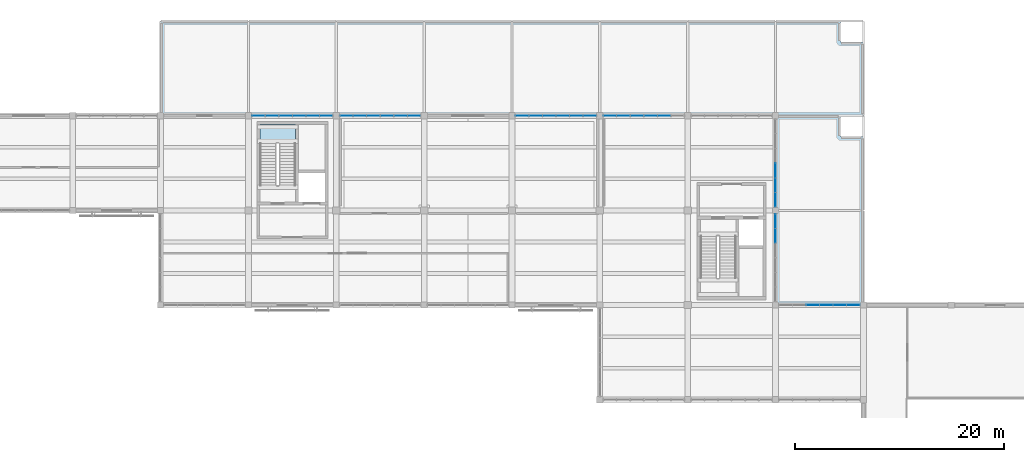
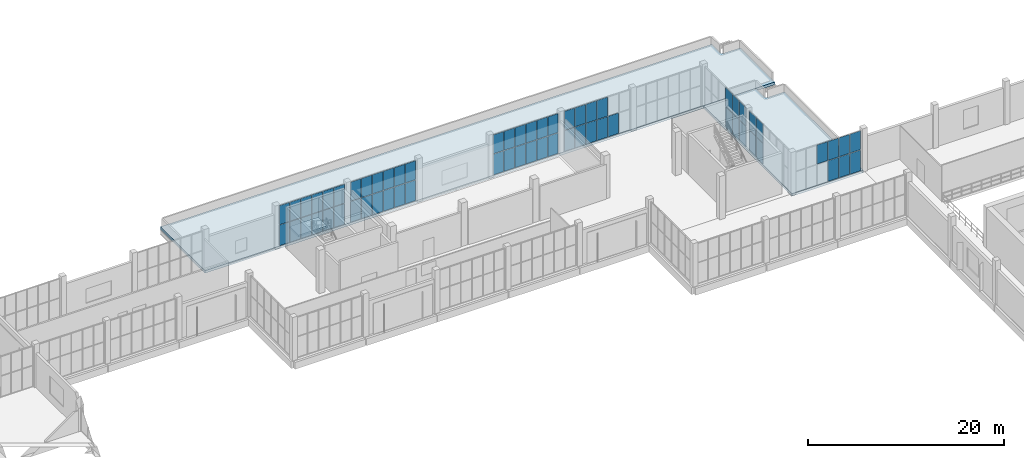
# One storey, part 107 of 132: 62 plates, 3 slabs, 8 elements without a shape of their own.
"""IFC4 building model written with IfcOpenShell, lengths in metres."""

from ifc_helpers import new_model, si_unit, direction, frame, origin, origin_2d, place, context, subcontext, project, spatial, polyline, rectangle, outline, extrude, material, layer, layer_set, type_object, element, aggregate, save


model = new_model("IFC4")

# Units and contexts
model_context = context("Model", 3, precision=1e-05, world=origin(), true_north=direction((0.0, 1.0)))
body_context = subcontext(model_context, "Body", "Model", "MODEL_VIEW")
ifc_project = project(units=[si_unit("LENGTHUNIT", "METRE"), si_unit("AREAUNIT", "SQUARE_METRE"), si_unit("VOLUMEUNIT", "CUBIC_METRE"), si_unit("PLANEANGLEUNIT", "RADIAN"), si_unit("MASSUNIT", "GRAM", prefix="KILO")], contexts=[model_context])

# Site, building, storey
site_placement = place(None, origin())
site = spatial("IfcSite", under=ifc_project, at=site_placement, CompositionType="ELEMENT")
building_placement = place(site_placement, origin())
building = spatial("IfcBuilding", under=site, at=building_placement, Name="Khurvash Pelagic Aquarium", CompositionType="ELEMENT")
storey_placement = place(building_placement, frame((0.0, 0.0, 5.39990234375)))
storey = spatial("IfcBuildingStorey", under=building, at=storey_placement, Name="L01", CompositionType="ELEMENT", Elevation=5.39990234375)

# Curtain wall, plates
ifc_material_1 = material(Name="Anodised aluminium and low-E laminated glass", Category="aluminium")
curtain_wall_type_1 = type_object("IfcCurtainWallType", Name="CW-05", PredefinedType="USERDEFINED", material=ifc_material_1)
curtain_wall_1_placement = place(storey_placement, origin())
curtain_wall_1 = element("IfcCurtainWall", 1, at=curtain_wall_1_placement, inside=storey, type_object=curtain_wall_type_1, Name="L01 Facade Unitised Curtain Wall CW-05 0111", ObjectType="UNITISED CURTAIN WALL", PredefinedType="USERDEFINED")
ifc_material_2 = material(Name="Low-E laminated double glazing", Category="glass")
ifc_layer_1 = layer(ifc_material_2, 0.033935546875)
ifc_layer_set_1 = layer_set([ifc_layer_1], Name="Low-E laminated double glazing")
plate_type_1 = type_object("IfcPlateType", Name="CG-05", PredefinedType="CURTAIN_PANEL", material=ifc_layer_set_1)
plate_1_placement = place(storey_placement, frame((125.03076171875, 84.050048828125, 0.06005859375), z_axis=(0.0, 0.0, 1.0), x_axis=(-1.0, 0.0, 0.0)))
plate_1 = element("IfcPlate", 2, at=plate_1_placement, type_object=plate_type_1, Name="CW-05 panel 1.1", PredefinedType="CURTAIN_PANEL", context=body_context, shape_type="SweptSolid", body=[
    extrude(rectangle(XDim=1.208251953125, YDim=0.033935546875, at=origin_2d()), origin(), (0.0, 0.0, 1.0), 2.56201171875),
])
plate_2_placement = place(storey_placement, frame((125.03076171875, 84.050048828125, 2.68212890625), z_axis=(0.0, 0.0, 1.0), x_axis=(-1.0, 0.0, 0.0)))
plate_2 = element("IfcPlate", 3, at=plate_2_placement, type_object=plate_type_1, Name="CW-05 panel 1.2", PredefinedType="CURTAIN_PANEL", context=body_context, shape_type="SweptSolid", body=[
    extrude(rectangle(XDim=1.208251953125, YDim=0.033935546875, at=origin_2d()), origin(), (0.0, 0.0, 1.0), 2.35791015625),
])
plate_3_placement = place(storey_placement, frame((123.74755859375, 84.050048828125, 0.06005859375), z_axis=(0.0, 0.0, 1.0), x_axis=(-1.0, 0.0, 0.0)))
plate_3 = element("IfcPlate", 4, at=plate_3_placement, type_object=plate_type_1, Name="CW-05 panel 2.1", PredefinedType="CURTAIN_PANEL", context=body_context, shape_type="SweptSolid", body=[
    extrude(rectangle(XDim=1.23828125, YDim=0.033935546875, at=origin_2d()), origin(), (0.0, 0.0, 1.0), 2.56201171875),
])
plate_4_placement = place(storey_placement, frame((123.74755859375, 84.050048828125, 2.68212890625), z_axis=(0.0, 0.0, 1.0), x_axis=(-1.0, 0.0, 0.0)))
plate_4 = element("IfcPlate", 5, at=plate_4_placement, type_object=plate_type_1, Name="CW-05 panel 2.2", PredefinedType="CURTAIN_PANEL", context=body_context, shape_type="SweptSolid", body=[
    extrude(rectangle(XDim=1.23828125, YDim=0.033935546875, at=origin_2d()), origin(), (0.0, 0.0, 1.0), 2.35791015625),
])
plate_5_placement = place(storey_placement, frame((122.44921875, 84.050048828125, 0.06005859375), z_axis=(0.0, 0.0, 1.0), x_axis=(-1.0, 0.0, 0.0)))
plate_5 = element("IfcPlate", 6, at=plate_5_placement, type_object=plate_type_1, Name="CW-05 panel 3.1", PredefinedType="CURTAIN_PANEL", context=body_context, shape_type="SweptSolid", body=[
    extrude(rectangle(XDim=1.23828125, YDim=0.033935546875, at=origin_2d()), origin(), (0.0, 0.0, 1.0), 2.56201171875),
])
plate_6_placement = place(storey_placement, frame((122.44921875, 84.050048828125, 2.68212890625), z_axis=(0.0, 0.0, 1.0), x_axis=(-1.0, 0.0, 0.0)))
plate_6 = element("IfcPlate", 7, at=plate_6_placement, type_object=plate_type_1, Name="CW-05 panel 3.2", PredefinedType="CURTAIN_PANEL", context=body_context, shape_type="SweptSolid", body=[
    extrude(rectangle(XDim=1.23828125, YDim=0.033935546875, at=origin_2d()), origin(), (0.0, 0.0, 1.0), 2.35791015625),
])
plate_7_placement = place(storey_placement, frame((121.15087890625, 84.050048828125, 2.68212890625), z_axis=(0.0, 0.0, 1.0), x_axis=(-1.0, 0.0, 0.0)))
plate_7 = element("IfcPlate", 8, at=plate_7_placement, type_object=plate_type_1, Name="CW-05 panel 4.2", PredefinedType="CURTAIN_PANEL", context=body_context, shape_type="SweptSolid", body=[
    extrude(rectangle(XDim=1.23828125, YDim=0.033935546875, at=origin_2d()), origin(), (0.0, 0.0, 1.0), 2.35791015625),
])
aggregate(curtain_wall_1, [plate_1, plate_2, plate_3, plate_4, plate_5, plate_6, plate_7])

curtain_wall_2_placement = place(storey_placement, origin())
curtain_wall_2 = element("IfcCurtainWall", 9, at=curtain_wall_2_placement, inside=storey, type_object=curtain_wall_type_1, Name="L01 Facade Unitised Curtain Wall CW-05 0115", ObjectType="UNITISED CURTAIN WALL", PredefinedType="USERDEFINED")
plate_8_placement = place(storey_placement, frame((106.947509765625, 102.14990234375, 0.06005859375), z_axis=(0.0, 0.0, 1.0), x_axis=(-1.0, 0.0, 0.0)))
plate_8 = element("IfcPlate", 10, at=plate_8_placement, type_object=plate_type_1, Name="CW-05 panel 2.1", PredefinedType="CURTAIN_PANEL", context=body_context, shape_type="SweptSolid", body=[
    extrude(rectangle(XDim=1.23828125, YDim=0.033935546875, at=origin_2d()), origin(), (0.0, 0.0, 1.0), 2.56201171875),
])
plate_9_placement = place(storey_placement, frame((105.649169921875, 102.14990234375, 0.06005859375), z_axis=(0.0, 0.0, 1.0), x_axis=(-1.0, 0.0, 0.0)))
plate_9 = element("IfcPlate", 11, at=plate_9_placement, type_object=plate_type_1, Name="CW-05 panel 3.1", PredefinedType="CURTAIN_PANEL", context=body_context, shape_type="SweptSolid", body=[
    extrude(rectangle(XDim=1.23828125, YDim=0.033935546875, at=origin_2d()), origin(), (0.0, 0.0, 1.0), 2.56201171875),
])
plate_10_placement = place(storey_placement, frame((105.649169921875, 102.14990234375, 2.68212890625), z_axis=(0.0, 0.0, 1.0), x_axis=(-1.0, 0.0, 0.0)))
plate_10 = element("IfcPlate", 12, at=plate_10_placement, type_object=plate_type_1, Name="CW-05 panel 3.2", PredefinedType="CURTAIN_PANEL", context=body_context, shape_type="SweptSolid", body=[
    extrude(rectangle(XDim=1.23828125, YDim=0.033935546875, at=origin_2d()), origin(), (0.0, 0.0, 1.0), 2.35791015625),
])
plate_11_placement = place(storey_placement, frame((104.350830078125, 102.14990234375, 0.06005859375), z_axis=(0.0, 0.0, 1.0), x_axis=(-1.0, 0.0, 0.0)))
plate_11 = element("IfcPlate", 13, at=plate_11_placement, type_object=plate_type_1, Name="CW-05 panel 4.1", PredefinedType="CURTAIN_PANEL", context=body_context, shape_type="SweptSolid", body=[
    extrude(rectangle(XDim=1.23828125, YDim=0.033935546875, at=origin_2d()), origin(), (0.0, 0.0, 1.0), 2.56201171875),
])
plate_12_placement = place(storey_placement, frame((104.350830078125, 102.14990234375, 2.68212890625), z_axis=(0.0, 0.0, 1.0), x_axis=(-1.0, 0.0, 0.0)))
plate_12 = element("IfcPlate", 14, at=plate_12_placement, type_object=plate_type_1, Name="CW-05 panel 4.2", PredefinedType="CURTAIN_PANEL", context=body_context, shape_type="SweptSolid", body=[
    extrude(rectangle(XDim=1.23828125, YDim=0.033935546875, at=origin_2d()), origin(), (0.0, 0.0, 1.0), 2.35791015625),
])
plate_13_placement = place(storey_placement, frame((103.052490234375, 102.14990234375, 0.06005859375), z_axis=(0.0, 0.0, 1.0), x_axis=(-1.0, 0.0, 0.0)))
plate_13 = element("IfcPlate", 15, at=plate_13_placement, type_object=plate_type_1, Name="CW-05 panel 5.1", PredefinedType="CURTAIN_PANEL", context=body_context, shape_type="SweptSolid", body=[
    extrude(rectangle(XDim=1.23828125, YDim=0.033935546875, at=origin_2d()), origin(), (0.0, 0.0, 1.0), 2.56201171875),
])
plate_14_placement = place(storey_placement, frame((103.052490234375, 102.14990234375, 2.68212890625), z_axis=(0.0, 0.0, 1.0), x_axis=(-1.0, 0.0, 0.0)))
plate_14 = element("IfcPlate", 16, at=plate_14_placement, type_object=plate_type_1, Name="CW-05 panel 5.2", PredefinedType="CURTAIN_PANEL", context=body_context, shape_type="SweptSolid", body=[
    extrude(rectangle(XDim=1.23828125, YDim=0.033935546875, at=origin_2d()), origin(), (0.0, 0.0, 1.0), 2.35791015625),
])
plate_15_placement = place(storey_placement, frame((101.769287109375, 102.14990234375, 0.06005859375), z_axis=(0.0, 0.0, 1.0), x_axis=(-1.0, 0.0, 0.0)))
plate_15 = element("IfcPlate", 17, at=plate_15_placement, type_object=plate_type_1, Name="CW-05 panel 6.1", PredefinedType="CURTAIN_PANEL", context=body_context, shape_type="SweptSolid", body=[
    extrude(rectangle(XDim=1.208251953125, YDim=0.033935546875, at=origin_2d()), origin(), (0.0, 0.0, 1.0), 2.56201171875),
])
plate_16_placement = place(storey_placement, frame((101.769287109375, 102.14990234375, 2.68212890625), z_axis=(0.0, 0.0, 1.0), x_axis=(-1.0, 0.0, 0.0)))
plate_16 = element("IfcPlate", 18, at=plate_16_placement, type_object=plate_type_1, Name="CW-05 panel 6.2", PredefinedType="CURTAIN_PANEL", context=body_context, shape_type="SweptSolid", body=[
    extrude(rectangle(XDim=1.208251953125, YDim=0.033935546875, at=origin_2d()), origin(), (0.0, 0.0, 1.0), 2.35791015625),
])
aggregate(curtain_wall_2, [plate_8, plate_9, plate_10, plate_11, plate_12, plate_13, plate_14, plate_15, plate_16])

curtain_wall_3_placement = place(storey_placement, origin())
curtain_wall_3 = element("IfcCurtainWall", 19, at=curtain_wall_3_placement, inside=storey, type_object=curtain_wall_type_1, Name="L01 Facade Unitised Curtain Wall CW-05 0116", ObjectType="UNITISED CURTAIN WALL", PredefinedType="USERDEFINED")
plate_17_placement = place(storey_placement, frame((99.830810546875, 102.14990234375, 0.06005859375), z_axis=(0.0, 0.0, 1.0), x_axis=(-1.0, 0.0, 0.0)))
plate_17 = element("IfcPlate", 20, at=plate_17_placement, type_object=plate_type_1, Name="CW-05 panel 1.1", PredefinedType="CURTAIN_PANEL", context=body_context, shape_type="SweptSolid", body=[
    extrude(rectangle(XDim=1.208251953125, YDim=0.033935546875, at=origin_2d()), origin(), (0.0, 0.0, 1.0), 2.56201171875),
])
plate_18_placement = place(storey_placement, frame((99.830810546875, 102.14990234375, 2.68212890625), z_axis=(0.0, 0.0, 1.0), x_axis=(-1.0, 0.0, 0.0)))
plate_18 = element("IfcPlate", 21, at=plate_18_placement, type_object=plate_type_1, Name="CW-05 panel 1.2", PredefinedType="CURTAIN_PANEL", context=body_context, shape_type="SweptSolid", body=[
    extrude(rectangle(XDim=1.208251953125, YDim=0.033935546875, at=origin_2d()), origin(), (0.0, 0.0, 1.0), 2.35791015625),
])
plate_19_placement = place(storey_placement, frame((98.547607421875, 102.14990234375, 0.06005859375), z_axis=(0.0, 0.0, 1.0), x_axis=(-1.0, 0.0, 0.0)))
plate_19 = element("IfcPlate", 22, at=plate_19_placement, type_object=plate_type_1, Name="CW-05 panel 2.1", PredefinedType="CURTAIN_PANEL", context=body_context, shape_type="SweptSolid", body=[
    extrude(rectangle(XDim=1.23828125, YDim=0.033935546875, at=origin_2d()), origin(), (0.0, 0.0, 1.0), 2.56201171875),
])
plate_20_placement = place(storey_placement, frame((98.547607421875, 102.14990234375, 2.68212890625), z_axis=(0.0, 0.0, 1.0), x_axis=(-1.0, 0.0, 0.0)))
plate_20 = element("IfcPlate", 23, at=plate_20_placement, type_object=plate_type_1, Name="CW-05 panel 2.2", PredefinedType="CURTAIN_PANEL", context=body_context, shape_type="SweptSolid", body=[
    extrude(rectangle(XDim=1.23828125, YDim=0.033935546875, at=origin_2d()), origin(), (0.0, 0.0, 1.0), 2.35791015625),
])
plate_21_placement = place(storey_placement, frame((97.249267578125, 102.14990234375, 0.06005859375), z_axis=(0.0, 0.0, 1.0), x_axis=(-1.0, 0.0, 0.0)))
plate_21 = element("IfcPlate", 24, at=plate_21_placement, type_object=plate_type_1, Name="CW-05 panel 3.1", PredefinedType="CURTAIN_PANEL", context=body_context, shape_type="SweptSolid", body=[
    extrude(rectangle(XDim=1.23828125, YDim=0.033935546875, at=origin_2d()), origin(), (0.0, 0.0, 1.0), 2.56201171875),
])
plate_22_placement = place(storey_placement, frame((97.249267578125, 102.14990234375, 2.68212890625), z_axis=(0.0, 0.0, 1.0), x_axis=(-1.0, 0.0, 0.0)))
plate_22 = element("IfcPlate", 25, at=plate_22_placement, type_object=plate_type_1, Name="CW-05 panel 3.2", PredefinedType="CURTAIN_PANEL", context=body_context, shape_type="SweptSolid", body=[
    extrude(rectangle(XDim=1.23828125, YDim=0.033935546875, at=origin_2d()), origin(), (0.0, 0.0, 1.0), 2.35791015625),
])
plate_23_placement = place(storey_placement, frame((95.950927734375, 102.14990234375, 0.06005859375), z_axis=(0.0, 0.0, 1.0), x_axis=(-1.0, 0.0, 0.0)))
plate_23 = element("IfcPlate", 26, at=plate_23_placement, type_object=plate_type_1, Name="CW-05 panel 4.1", PredefinedType="CURTAIN_PANEL", context=body_context, shape_type="SweptSolid", body=[
    extrude(rectangle(XDim=1.23828125, YDim=0.033935546875, at=origin_2d()), origin(), (0.0, 0.0, 1.0), 2.56201171875),
])
plate_24_placement = place(storey_placement, frame((95.950927734375, 102.14990234375, 2.68212890625), z_axis=(0.0, 0.0, 1.0), x_axis=(-1.0, 0.0, 0.0)))
plate_24 = element("IfcPlate", 27, at=plate_24_placement, type_object=plate_type_1, Name="CW-05 panel 4.2", PredefinedType="CURTAIN_PANEL", context=body_context, shape_type="SweptSolid", body=[
    extrude(rectangle(XDim=1.23828125, YDim=0.033935546875, at=origin_2d()), origin(), (0.0, 0.0, 1.0), 2.35791015625),
])
plate_25_placement = place(storey_placement, frame((94.652587890625, 102.14990234375, 0.06005859375), z_axis=(0.0, 0.0, 1.0), x_axis=(-1.0, 0.0, 0.0)))
plate_25 = element("IfcPlate", 28, at=plate_25_placement, type_object=plate_type_1, Name="CW-05 panel 5.1", PredefinedType="CURTAIN_PANEL", context=body_context, shape_type="SweptSolid", body=[
    extrude(rectangle(XDim=1.23828125, YDim=0.033935546875, at=origin_2d()), origin(), (0.0, 0.0, 1.0), 2.56201171875),
])
plate_26_placement = place(storey_placement, frame((94.652587890625, 102.14990234375, 2.68212890625), z_axis=(0.0, 0.0, 1.0), x_axis=(-1.0, 0.0, 0.0)))
plate_26 = element("IfcPlate", 29, at=plate_26_placement, type_object=plate_type_1, Name="CW-05 panel 5.2", PredefinedType="CURTAIN_PANEL", context=body_context, shape_type="SweptSolid", body=[
    extrude(rectangle(XDim=1.23828125, YDim=0.033935546875, at=origin_2d()), origin(), (0.0, 0.0, 1.0), 2.35791015625),
])
plate_27_placement = place(storey_placement, frame((93.369140625, 102.14990234375, 0.06005859375), z_axis=(0.0, 0.0, 1.0), x_axis=(-1.0, 0.0, 0.0)))
plate_27 = element("IfcPlate", 30, at=plate_27_placement, type_object=plate_type_1, Name="CW-05 panel 6.1", PredefinedType="CURTAIN_PANEL", context=body_context, shape_type="SweptSolid", body=[
    extrude(rectangle(XDim=1.208251953125, YDim=0.033935546875, at=origin_2d()), origin(), (0.0, 0.0, 1.0), 2.56201171875),
])
plate_28_placement = place(storey_placement, frame((93.369140625, 102.14990234375, 2.68212890625), z_axis=(0.0, 0.0, 1.0), x_axis=(-1.0, 0.0, 0.0)))
plate_28 = element("IfcPlate", 31, at=plate_28_placement, type_object=plate_type_1, Name="CW-05 panel 6.2", PredefinedType="CURTAIN_PANEL", context=body_context, shape_type="SweptSolid", body=[
    extrude(rectangle(XDim=1.208251953125, YDim=0.033935546875, at=origin_2d()), origin(), (0.0, 0.0, 1.0), 2.35791015625),
])
aggregate(curtain_wall_3, [plate_17, plate_18, plate_19, plate_20, plate_21, plate_22, plate_23, plate_24, plate_25, plate_26, plate_27, plate_28])

curtain_wall_4_placement = place(storey_placement, origin())
curtain_wall_4 = element("IfcCurtainWall", 32, at=curtain_wall_4_placement, inside=storey, type_object=curtain_wall_type_1, Name="L01 Facade Unitised Curtain Wall CW-05 0117", ObjectType="UNITISED CURTAIN WALL", PredefinedType="USERDEFINED")
plate_29_placement = place(storey_placement, frame((83.03076171875, 102.14990234375, 0.06005859375), z_axis=(0.0, 0.0, 1.0), x_axis=(-1.0, 0.0, 0.0)))
plate_29 = element("IfcPlate", 33, at=plate_29_placement, type_object=plate_type_1, Name="CW-05 panel 1.1", PredefinedType="CURTAIN_PANEL", context=body_context, shape_type="SweptSolid", body=[
    extrude(rectangle(XDim=1.208251953125, YDim=0.033935546875, at=origin_2d()), origin(), (0.0, 0.0, 1.0), 2.56201171875),
])
plate_30_placement = place(storey_placement, frame((83.03076171875, 102.14990234375, 2.68212890625), z_axis=(0.0, 0.0, 1.0), x_axis=(-1.0, 0.0, 0.0)))
plate_30 = element("IfcPlate", 34, at=plate_30_placement, type_object=plate_type_1, Name="CW-05 panel 1.2", PredefinedType="CURTAIN_PANEL", context=body_context, shape_type="SweptSolid", body=[
    extrude(rectangle(XDim=1.208251953125, YDim=0.033935546875, at=origin_2d()), origin(), (0.0, 0.0, 1.0), 2.35791015625),
])
plate_31_placement = place(storey_placement, frame((81.74755859375, 102.14990234375, 0.06005859375), z_axis=(0.0, 0.0, 1.0), x_axis=(-1.0, 0.0, 0.0)))
plate_31 = element("IfcPlate", 35, at=plate_31_placement, type_object=plate_type_1, Name="CW-05 panel 2.1", PredefinedType="CURTAIN_PANEL", context=body_context, shape_type="SweptSolid", body=[
    extrude(rectangle(XDim=1.23828125, YDim=0.033935546875, at=origin_2d()), origin(), (0.0, 0.0, 1.0), 2.56201171875),
])
plate_32_placement = place(storey_placement, frame((81.74755859375, 102.14990234375, 2.68212890625), z_axis=(0.0, 0.0, 1.0), x_axis=(-1.0, 0.0, 0.0)))
plate_32 = element("IfcPlate", 36, at=plate_32_placement, type_object=plate_type_1, Name="CW-05 panel 2.2", PredefinedType="CURTAIN_PANEL", context=body_context, shape_type="SweptSolid", body=[
    extrude(rectangle(XDim=1.23828125, YDim=0.033935546875, at=origin_2d()), origin(), (0.0, 0.0, 1.0), 2.35791015625),
])
plate_33_placement = place(storey_placement, frame((80.44921875, 102.14990234375, 0.06005859375), z_axis=(0.0, 0.0, 1.0), x_axis=(-1.0, 0.0, 0.0)))
plate_33 = element("IfcPlate", 37, at=plate_33_placement, type_object=plate_type_1, Name="CW-05 panel 3.1", PredefinedType="CURTAIN_PANEL", context=body_context, shape_type="SweptSolid", body=[
    extrude(rectangle(XDim=1.23828125, YDim=0.033935546875, at=origin_2d()), origin(), (0.0, 0.0, 1.0), 2.56201171875),
])
plate_34_placement = place(storey_placement, frame((80.44921875, 102.14990234375, 2.68212890625), z_axis=(0.0, 0.0, 1.0), x_axis=(-1.0, 0.0, 0.0)))
plate_34 = element("IfcPlate", 38, at=plate_34_placement, type_object=plate_type_1, Name="CW-05 panel 3.2", PredefinedType="CURTAIN_PANEL", context=body_context, shape_type="SweptSolid", body=[
    extrude(rectangle(XDim=1.23828125, YDim=0.033935546875, at=origin_2d()), origin(), (0.0, 0.0, 1.0), 2.35791015625),
])
plate_35_placement = place(storey_placement, frame((79.15087890625, 102.14990234375, 0.06005859375), z_axis=(0.0, 0.0, 1.0), x_axis=(-1.0, 0.0, 0.0)))
plate_35 = element("IfcPlate", 39, at=plate_35_placement, type_object=plate_type_1, Name="CW-05 panel 4.1", PredefinedType="CURTAIN_PANEL", context=body_context, shape_type="SweptSolid", body=[
    extrude(rectangle(XDim=1.23828125, YDim=0.033935546875, at=origin_2d()), origin(), (0.0, 0.0, 1.0), 2.56201171875),
])
plate_36_placement = place(storey_placement, frame((79.15087890625, 102.14990234375, 2.68212890625), z_axis=(0.0, 0.0, 1.0), x_axis=(-1.0, 0.0, 0.0)))
plate_36 = element("IfcPlate", 40, at=plate_36_placement, type_object=plate_type_1, Name="CW-05 panel 4.2", PredefinedType="CURTAIN_PANEL", context=body_context, shape_type="SweptSolid", body=[
    extrude(rectangle(XDim=1.23828125, YDim=0.033935546875, at=origin_2d()), origin(), (0.0, 0.0, 1.0), 2.35791015625),
])
plate_37_placement = place(storey_placement, frame((77.8525390625, 102.14990234375, 0.06005859375), z_axis=(0.0, 0.0, 1.0), x_axis=(-1.0, 0.0, 0.0)))
plate_37 = element("IfcPlate", 41, at=plate_37_placement, type_object=plate_type_1, Name="CW-05 panel 5.1", PredefinedType="CURTAIN_PANEL", context=body_context, shape_type="SweptSolid", body=[
    extrude(rectangle(XDim=1.23828125, YDim=0.033935546875, at=origin_2d()), origin(), (0.0, 0.0, 1.0), 2.56201171875),
])
plate_38_placement = place(storey_placement, frame((77.8525390625, 102.14990234375, 2.68212890625), z_axis=(0.0, 0.0, 1.0), x_axis=(-1.0, 0.0, 0.0)))
plate_38 = element("IfcPlate", 42, at=plate_38_placement, type_object=plate_type_1, Name="CW-05 panel 5.2", PredefinedType="CURTAIN_PANEL", context=body_context, shape_type="SweptSolid", body=[
    extrude(rectangle(XDim=1.23828125, YDim=0.033935546875, at=origin_2d()), origin(), (0.0, 0.0, 1.0), 2.35791015625),
])
plate_39_placement = place(storey_placement, frame((76.569091796875, 102.14990234375, 0.06005859375), z_axis=(0.0, 0.0, 1.0), x_axis=(-1.0, 0.0, 0.0)))
plate_39 = element("IfcPlate", 43, at=plate_39_placement, type_object=plate_type_1, Name="CW-05 panel 6.1", PredefinedType="CURTAIN_PANEL", context=body_context, shape_type="SweptSolid", body=[
    extrude(rectangle(XDim=1.208251953125, YDim=0.033935546875, at=origin_2d()), origin(), (0.0, 0.0, 1.0), 2.56201171875),
])
plate_40_placement = place(storey_placement, frame((76.569091796875, 102.14990234375, 2.68212890625), z_axis=(0.0, 0.0, 1.0), x_axis=(-1.0, 0.0, 0.0)))
plate_40 = element("IfcPlate", 44, at=plate_40_placement, type_object=plate_type_1, Name="CW-05 panel 6.2", PredefinedType="CURTAIN_PANEL", context=body_context, shape_type="SweptSolid", body=[
    extrude(rectangle(XDim=1.208251953125, YDim=0.033935546875, at=origin_2d()), origin(), (0.0, 0.0, 1.0), 2.35791015625),
])
aggregate(curtain_wall_4, [plate_29, plate_30, plate_31, plate_32, plate_33, plate_34, plate_35, plate_36, plate_37, plate_38, plate_39, plate_40])

curtain_wall_5_placement = place(storey_placement, origin())
curtain_wall_5 = element("IfcCurtainWall", 45, at=curtain_wall_5_placement, inside=storey, type_object=curtain_wall_type_1, Name="L01 Facade Unitised Curtain Wall CW-05 0118", ObjectType="UNITISED CURTAIN WALL", PredefinedType="USERDEFINED")
plate_41_placement = place(storey_placement, frame((74.630859375, 102.14990234375, 0.06005859375), z_axis=(0.0, 0.0, 1.0), x_axis=(-1.0, 0.0, 0.0)))
plate_41 = element("IfcPlate", 46, at=plate_41_placement, type_object=plate_type_1, Name="CW-05 panel 1.1", PredefinedType="CURTAIN_PANEL", context=body_context, shape_type="SweptSolid", body=[
    extrude(rectangle(XDim=1.208251953125, YDim=0.033935546875, at=origin_2d()), origin(), (0.0, 0.0, 1.0), 2.56201171875),
])
plate_42_placement = place(storey_placement, frame((74.630859375, 102.14990234375, 2.68212890625), z_axis=(0.0, 0.0, 1.0), x_axis=(-1.0, 0.0, 0.0)))
plate_42 = element("IfcPlate", 47, at=plate_42_placement, type_object=plate_type_1, Name="CW-05 panel 1.2", PredefinedType="CURTAIN_PANEL", context=body_context, shape_type="SweptSolid", body=[
    extrude(rectangle(XDim=1.208251953125, YDim=0.033935546875, at=origin_2d()), origin(), (0.0, 0.0, 1.0), 2.35791015625),
])
plate_43_placement = place(storey_placement, frame((73.347412109375, 102.14990234375, 0.06005859375), z_axis=(0.0, 0.0, 1.0), x_axis=(-1.0, 0.0, 0.0)))
plate_43 = element("IfcPlate", 48, at=plate_43_placement, type_object=plate_type_1, Name="CW-05 panel 2.1", PredefinedType="CURTAIN_PANEL", context=body_context, shape_type="SweptSolid", body=[
    extrude(rectangle(XDim=1.23828125, YDim=0.033935546875, at=origin_2d()), origin(), (0.0, 0.0, 1.0), 2.56201171875),
])
plate_44_placement = place(storey_placement, frame((73.347412109375, 102.14990234375, 2.68212890625), z_axis=(0.0, 0.0, 1.0), x_axis=(-1.0, 0.0, 0.0)))
plate_44 = element("IfcPlate", 49, at=plate_44_placement, type_object=plate_type_1, Name="CW-05 panel 2.2", PredefinedType="CURTAIN_PANEL", context=body_context, shape_type="SweptSolid", body=[
    extrude(rectangle(XDim=1.23828125, YDim=0.033935546875, at=origin_2d()), origin(), (0.0, 0.0, 1.0), 2.35791015625),
])
plate_45_placement = place(storey_placement, frame((72.049072265625, 102.14990234375, 0.06005859375), z_axis=(0.0, 0.0, 1.0), x_axis=(-1.0, 0.0, 0.0)))
plate_45 = element("IfcPlate", 50, at=plate_45_placement, type_object=plate_type_1, Name="CW-05 panel 3.1", PredefinedType="CURTAIN_PANEL", context=body_context, shape_type="SweptSolid", body=[
    extrude(rectangle(XDim=1.23828125, YDim=0.033935546875, at=origin_2d()), origin(), (0.0, 0.0, 1.0), 2.56201171875),
])
plate_46_placement = place(storey_placement, frame((72.049072265625, 102.14990234375, 2.68212890625), z_axis=(0.0, 0.0, 1.0), x_axis=(-1.0, 0.0, 0.0)))
plate_46 = element("IfcPlate", 51, at=plate_46_placement, type_object=plate_type_1, Name="CW-05 panel 3.2", PredefinedType="CURTAIN_PANEL", context=body_context, shape_type="SweptSolid", body=[
    extrude(rectangle(XDim=1.23828125, YDim=0.033935546875, at=origin_2d()), origin(), (0.0, 0.0, 1.0), 2.35791015625),
])
plate_47_placement = place(storey_placement, frame((70.750732421875, 102.14990234375, 0.06005859375), z_axis=(0.0, 0.0, 1.0), x_axis=(-1.0, 0.0, 0.0)))
plate_47 = element("IfcPlate", 52, at=plate_47_placement, type_object=plate_type_1, Name="CW-05 panel 4.1", PredefinedType="CURTAIN_PANEL", context=body_context, shape_type="SweptSolid", body=[
    extrude(rectangle(XDim=1.23828125, YDim=0.033935546875, at=origin_2d()), origin(), (0.0, 0.0, 1.0), 2.56201171875),
])
plate_48_placement = place(storey_placement, frame((70.750732421875, 102.14990234375, 2.68212890625), z_axis=(0.0, 0.0, 1.0), x_axis=(-1.0, 0.0, 0.0)))
plate_48 = element("IfcPlate", 53, at=plate_48_placement, type_object=plate_type_1, Name="CW-05 panel 4.2", PredefinedType="CURTAIN_PANEL", context=body_context, shape_type="SweptSolid", body=[
    extrude(rectangle(XDim=1.23828125, YDim=0.033935546875, at=origin_2d()), origin(), (0.0, 0.0, 1.0), 2.35791015625),
])
plate_49_placement = place(storey_placement, frame((69.452392578125, 102.14990234375, 0.06005859375), z_axis=(0.0, 0.0, 1.0), x_axis=(-1.0, 0.0, 0.0)))
plate_49 = element("IfcPlate", 54, at=plate_49_placement, type_object=plate_type_1, Name="CW-05 panel 5.1", PredefinedType="CURTAIN_PANEL", context=body_context, shape_type="SweptSolid", body=[
    extrude(rectangle(XDim=1.23828125, YDim=0.033935546875, at=origin_2d()), origin(), (0.0, 0.0, 1.0), 2.56201171875),
])
plate_50_placement = place(storey_placement, frame((69.452392578125, 102.14990234375, 2.68212890625), z_axis=(0.0, 0.0, 1.0), x_axis=(-1.0, 0.0, 0.0)))
plate_50 = element("IfcPlate", 55, at=plate_50_placement, type_object=plate_type_1, Name="CW-05 panel 5.2", PredefinedType="CURTAIN_PANEL", context=body_context, shape_type="SweptSolid", body=[
    extrude(rectangle(XDim=1.23828125, YDim=0.033935546875, at=origin_2d()), origin(), (0.0, 0.0, 1.0), 2.35791015625),
])
plate_51_placement = place(storey_placement, frame((68.169189453125, 102.14990234375, 0.06005859375), z_axis=(0.0, 0.0, 1.0), x_axis=(-1.0, 0.0, 0.0)))
plate_51 = element("IfcPlate", 56, at=plate_51_placement, type_object=plate_type_1, Name="CW-05 panel 6.1", PredefinedType="CURTAIN_PANEL", context=body_context, shape_type="SweptSolid", body=[
    extrude(rectangle(XDim=1.208251953125, YDim=0.033935546875, at=origin_2d()), origin(), (0.0, 0.0, 1.0), 2.56201171875),
])
plate_52_placement = place(storey_placement, frame((68.169189453125, 102.14990234375, 2.68212890625), z_axis=(0.0, 0.0, 1.0), x_axis=(-1.0, 0.0, 0.0)))
plate_52 = element("IfcPlate", 57, at=plate_52_placement, type_object=plate_type_1, Name="CW-05 panel 6.2", PredefinedType="CURTAIN_PANEL", context=body_context, shape_type="SweptSolid", body=[
    extrude(rectangle(XDim=1.208251953125, YDim=0.033935546875, at=origin_2d()), origin(), (0.0, 0.0, 1.0), 2.35791015625),
])
aggregate(curtain_wall_5, [plate_41, plate_42, plate_43, plate_44, plate_45, plate_46, plate_47, plate_48, plate_49, plate_50, plate_51, plate_52])

curtain_wall_type_2 = type_object("IfcCurtainWallType", Name="CW-06", PredefinedType="USERDEFINED", material=ifc_material_1)
curtain_wall_6_placement = place(storey_placement, origin())
curtain_wall_6 = element("IfcCurtainWall", 58, at=curtain_wall_6_placement, inside=storey, type_object=curtain_wall_type_2, Name="L01 Facade Unitised Curtain Wall CW-06 0112", ObjectType="UNITISED CURTAIN WALL", PredefinedType="USERDEFINED")
ifc_layer_2 = layer(ifc_material_2, 0.030029296875)
ifc_layer_set_2 = layer_set([ifc_layer_2], Name="Low-E laminated double glazing")
plate_type_2 = type_object("IfcPlateType", Name="CG-06", PredefinedType="CURTAIN_PANEL", material=ifc_layer_set_2)
plate_53_placement = place(storey_placement, frame((117.60009765625, 90.68505859375, 0.06005859375), z_axis=(0.0, 0.0, 1.0), x_axis=(0.0, 1.0, 0.0)))
plate_53 = element("IfcPlate", 59, at=plate_53_placement, type_object=plate_type_2, Name="CW-06 panel 5.1", PredefinedType="CURTAIN_PANEL", context=body_context, shape_type="SweptSolid", body=[
    extrude(rectangle(XDim=1.3466796875, YDim=0.030029296875, at=origin_2d()), origin(), (0.0, 0.0, 1.0), 2.56201171875),
])
plate_54_placement = place(storey_placement, frame((117.60009765625, 90.68505859375, 2.68212890625), z_axis=(0.0, 0.0, 1.0), x_axis=(0.0, 1.0, 0.0)))
plate_54 = element("IfcPlate", 60, at=plate_54_placement, type_object=plate_type_2, Name="CW-06 panel 5.2", PredefinedType="CURTAIN_PANEL", context=body_context, shape_type="SweptSolid", body=[
    extrude(rectangle(XDim=1.3466796875, YDim=0.030029296875, at=origin_2d()), origin(), (0.0, 0.0, 1.0), 2.35791015625),
])
plate_55_placement = place(storey_placement, frame((117.60009765625, 92.07666015625, 0.06005859375), z_axis=(0.0, 0.0, 1.0), x_axis=(0.0, 1.0, 0.0)))
plate_55 = element("IfcPlate", 61, at=plate_55_placement, type_object=plate_type_2, Name="CW-06 panel 6.1", PredefinedType="CURTAIN_PANEL", context=body_context, shape_type="SweptSolid", body=[
    extrude(rectangle(XDim=1.316650390625, YDim=0.030029296875, at=origin_2d()), origin(), (0.0, 0.0, 1.0), 2.56201171875),
])
plate_56_placement = place(storey_placement, frame((117.60009765625, 92.07666015625, 2.68212890625), z_axis=(0.0, 0.0, 1.0), x_axis=(0.0, 1.0, 0.0)))
plate_56 = element("IfcPlate", 62, at=plate_56_placement, type_object=plate_type_2, Name="CW-06 panel 6.2", PredefinedType="CURTAIN_PANEL", context=body_context, shape_type="SweptSolid", body=[
    extrude(rectangle(XDim=1.316650390625, YDim=0.030029296875, at=origin_2d()), origin(), (0.0, 0.0, 1.0), 2.35791015625),
])
aggregate(curtain_wall_6, [plate_53, plate_54, plate_55, plate_56])

curtain_wall_7_placement = place(storey_placement, origin())
curtain_wall_7 = element("IfcCurtainWall", 63, at=curtain_wall_7_placement, inside=storey, type_object=curtain_wall_type_2, Name="L01 Facade Unitised Curtain Wall CW-06 0113", ObjectType="UNITISED CURTAIN WALL", PredefinedType="USERDEFINED")
plate_57_placement = place(storey_placement, frame((117.60009765625, 94.123291015625, 0.06005859375), z_axis=(0.0, 0.0, 1.0), x_axis=(0.0, 1.0, 0.0)))
plate_57 = element("IfcPlate", 64, at=plate_57_placement, type_object=plate_type_2, Name="CW-06 panel 1.1", PredefinedType="CURTAIN_PANEL", context=body_context, shape_type="SweptSolid", body=[
    extrude(rectangle(XDim=1.316650390625, YDim=0.030029296875, at=origin_2d()), origin(), (0.0, 0.0, 1.0), 2.56201171875),
])
plate_58_placement = place(storey_placement, frame((117.60009765625, 94.123291015625, 2.68212890625), z_axis=(0.0, 0.0, 1.0), x_axis=(0.0, 1.0, 0.0)))
plate_58 = element("IfcPlate", 65, at=plate_58_placement, type_object=plate_type_2, Name="CW-06 panel 1.2", PredefinedType="CURTAIN_PANEL", context=body_context, shape_type="SweptSolid", body=[
    extrude(rectangle(XDim=1.316650390625, YDim=0.030029296875, at=origin_2d()), origin(), (0.0, 0.0, 1.0), 2.35791015625),
])
plate_59_placement = place(storey_placement, frame((117.60009765625, 95.514892578125, 0.06005859375), z_axis=(0.0, 0.0, 1.0), x_axis=(0.0, 1.0, 0.0)))
plate_59 = element("IfcPlate", 66, at=plate_59_placement, type_object=plate_type_2, Name="CW-06 panel 2.1", PredefinedType="CURTAIN_PANEL", context=body_context, shape_type="SweptSolid", body=[
    extrude(rectangle(XDim=1.3466796875, YDim=0.030029296875, at=origin_2d()), origin(), (0.0, 0.0, 1.0), 2.56201171875),
])
plate_60_placement = place(storey_placement, frame((117.60009765625, 95.514892578125, 2.68212890625), z_axis=(0.0, 0.0, 1.0), x_axis=(0.0, 1.0, 0.0)))
plate_60 = element("IfcPlate", 67, at=plate_60_placement, type_object=plate_type_2, Name="CW-06 panel 2.2", PredefinedType="CURTAIN_PANEL", context=body_context, shape_type="SweptSolid", body=[
    extrude(rectangle(XDim=1.3466796875, YDim=0.030029296875, at=origin_2d()), origin(), (0.0, 0.0, 1.0), 2.35791015625),
])
plate_61_placement = place(storey_placement, frame((117.60009765625, 96.921630859375, 0.06005859375), z_axis=(0.0, 0.0, 1.0), x_axis=(0.0, 1.0, 0.0)))
plate_61 = element("IfcPlate", 68, at=plate_61_placement, type_object=plate_type_2, Name="CW-06 panel 3.1", PredefinedType="CURTAIN_PANEL", context=body_context, shape_type="SweptSolid", body=[
    extrude(rectangle(XDim=1.3466796875, YDim=0.030029296875, at=origin_2d()), origin(), (0.0, 0.0, 1.0), 2.56201171875),
])
plate_62_placement = place(storey_placement, frame((117.60009765625, 96.921630859375, 2.68212890625), z_axis=(0.0, 0.0, 1.0), x_axis=(0.0, 1.0, 0.0)))
plate_62 = element("IfcPlate", 69, at=plate_62_placement, type_object=plate_type_2, Name="CW-06 panel 3.2", PredefinedType="CURTAIN_PANEL", context=body_context, shape_type="SweptSolid", body=[
    extrude(rectangle(XDim=1.3466796875, YDim=0.030029296875, at=origin_2d()), origin(), (0.0, 0.0, 1.0), 2.35791015625),
])
aggregate(curtain_wall_7, [plate_57, plate_58, plate_59, plate_60, plate_61, plate_62])

# Slabs
ifc_material_3 = material(Name="Concrete C35/45", Category="concrete")
ifc_layer_3 = layer(ifc_material_3, 0.320068359375)
ifc_layer_set_3 = layer_set([ifc_layer_3], Name="Concrete C35/45")
slab_type_1 = type_object("IfcSlabType", Name="RS-320", PredefinedType="ROOF", material=ifc_layer_set_3)
slab_1_placement = place(storey_placement, frame((0.0, 0.0, -0.31982421875)))
element("IfcSlab", 70, at=slab_1_placement, inside=storey, type_object=slab_type_1, Name="L01 Insulated Concrete Roof Slab RS-320 ROOF_L01_NTOP.1", PredefinedType="ROOF", context=body_context, shape_type="SweptSolid", body=[
    extrude(outline(polyline([(126.0, 102.14990234375), (126.0, 109.199951171875), (123.800048828125, 109.199951171875), (123.800048828125, 111.199951171875), (58.800048828125, 111.199951171875), (58.800048828125, 102.14990234375), (88.199951171875, 102.14990234375), (117.60009765625, 102.14990234375), (126.0, 102.14990234375)])), origin(), (0.0, 0.0, 1.0), 0.31982421875),
])
slab_2_placement = place(storey_placement, frame((0.0, 0.0, -0.31982421875)))
element("IfcSlab", 71, at=slab_2_placement, inside=storey, type_object=slab_type_1, Name="L01 Insulated Concrete Roof Slab RS-320 ROOF_L01_NE.1", PredefinedType="ROOF", context=body_context, shape_type="SweptSolid", body=[
    extrude(outline(polyline([(126.0, 84.050048828125), (126.0, 100.14990234375), (123.800048828125, 100.14990234375), (123.800048828125, 102.14990234375), (117.60009765625, 102.14990234375), (117.60009765625, 84.050048828125), (126.0, 84.050048828125)])), origin(), (0.0, 0.0, 1.0), 0.31982421875),
])

# Stair, slab
stair_type = type_object("IfcStairType", Name="ST-04", PredefinedType="HALF_TURN_STAIR", material=ifc_material_3)
stair_placement = place(storey_placement, origin())
stair = element("IfcStair", 72, at=stair_placement, inside=storey, type_object=stair_type, Name="L01 Protected Exit Stair ST-04", PredefinedType="HALF_TURN_STAIR")
ifc_layer_4 = layer(ifc_material_3, 0.199951171875)
ifc_layer_set_4 = layer_set([ifc_layer_4], Name="Concrete C35/45")
slab_type_2 = type_object("IfcSlabType", Name="SL-LND-200", PredefinedType="LANDING", material=ifc_layer_set_4)
slab_3_placement = place(storey_placement, frame((0.0, 0.0, 2.5)))
slab_3 = element("IfcSlab", 73, at=slab_3_placement, type_object=slab_type_2, Name="ST-04 landing 1", PredefinedType="LANDING", context=body_context, shape_type="SweptSolid", body=[
    extrude(outline(polyline([(71.699951171875, 99.489990234375), (71.699951171875, 101.300048828125), (68.300048828125, 101.300048828125), (68.300048828125, 99.489990234375), (71.699951171875, 99.489990234375)])), origin(), (0.0, 0.0, 1.0), 0.2001953125),
])
aggregate(stair, [slab_3])

save(model, "model.ifc")
